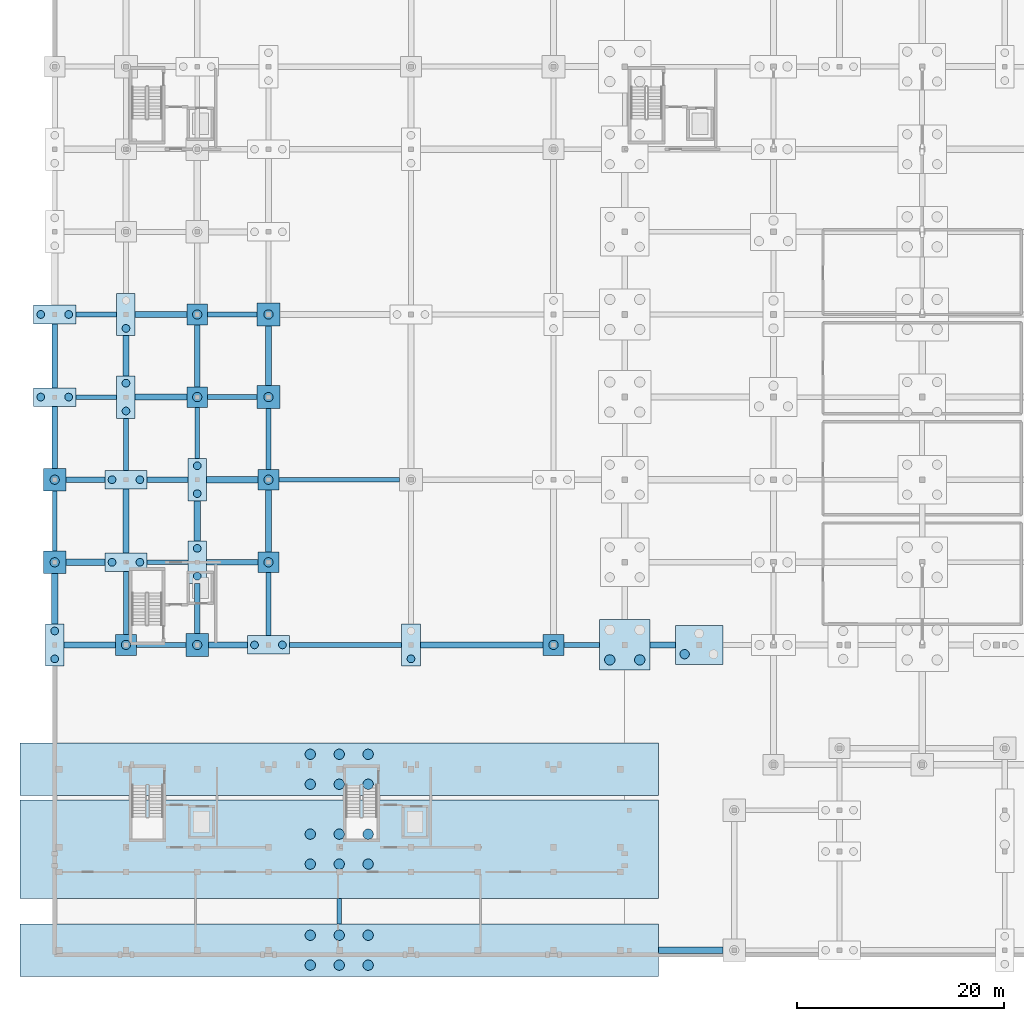
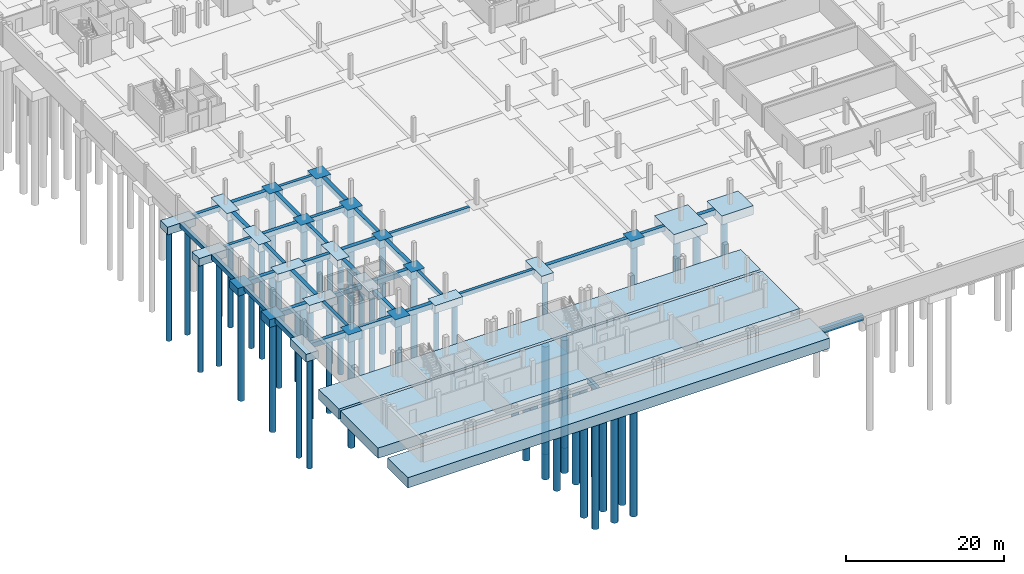
# One storey, part 1 of 38: 65 footings, 52 piles.
"""IFC4 building model written with IfcOpenShell, lengths in metres."""

from ifc_helpers import new_model, si_unit, direction, frame, origin, origin_2d, place, context, subcontext, project, spatial, rectangle, circle, extrude, material, material_profile, profile_set, type_object, element, save


model = new_model("IFC4")

# Units and contexts
model_context = context("Model", 3, precision=1e-05, world=origin(), true_north=direction((0.0, 1.0)))
body_context = subcontext(model_context, "Body", "Model", "MODEL_VIEW")
ifc_project = project(units=[si_unit("LENGTHUNIT", "METRE"), si_unit("AREAUNIT", "SQUARE_METRE"), si_unit("VOLUMEUNIT", "CUBIC_METRE"), si_unit("PLANEANGLEUNIT", "RADIAN"), si_unit("MASSUNIT", "GRAM", prefix="KILO")], contexts=[model_context])

# Site, building, storey
site_placement = place(None, origin())
site = spatial("IfcSite", under=ifc_project, at=site_placement, CompositionType="ELEMENT")
building_placement = place(site_placement, origin())
building = spatial("IfcBuilding", under=site, at=building_placement, Name="Zavelmont Quarter", CompositionType="ELEMENT")
storey_placement = place(building_placement, frame((0.0, 0.0, -3.800048828125)))
storey = spatial("IfcBuildingStorey", under=building, at=storey_placement, Name="B01", CompositionType="ELEMENT", Elevation=-3.800048828125)

# Footings
ifc_material = material(Name="Concrete C35/45", Category="concrete")
footing_type_1 = type_object("IfcFootingType", Name="GB01", PredefinedType="FOOTING_BEAM", material=ifc_material)
footing_1_placement = place(storey_placement, frame((10.300048828125, 30.0, -0.69970703125), z_axis=(0.0, 0.0, 1.0), x_axis=(1.0, 0.0, 0.0)))
element("IfcFooting", 1, at=footing_1_placement, inside=storey, type_object=footing_type_1, Name="B01 ground beam GB01 at 2/F", PredefinedType="FOOTING_BEAM", context=body_context, shape_type="SweptSolid", body=[
    extrude(rectangle(XDim=4.800048828125, YDim=0.5, at=origin_2d()), origin(), (0.0, 0.0, 1.0), 0.699951171875),
])
footing_2_placement = place(storey_placement, frame((51.02490234375, 30.0, -0.69970703125), z_axis=(0.0, 0.0, 1.0), x_axis=(1.0, 0.0, 0.0)))
element("IfcFooting", 2, at=footing_2_placement, inside=storey, type_object=footing_type_1, Name="B01 ground beam GB01 at 8/F", PredefinedType="FOOTING_BEAM", context=body_context, shape_type="SweptSolid", body=[
    extrude(rectangle(XDim=3.449951171875, YDim=0.5, at=origin_2d()), origin(), (0.0, 0.0, 1.0), 0.699951171875),
])
footing_3_placement = place(storey_placement, frame((10.925048828125, 46.0, -0.69970703125), z_axis=(0.0, 0.0, 1.0), x_axis=(1.0, 0.0, 0.0)))
element("IfcFooting", 3, at=footing_3_placement, inside=storey, type_object=footing_type_1, Name="B01 ground beam GB01 at 3/H", PredefinedType="FOOTING_BEAM", context=body_context, shape_type="SweptSolid", body=[
    extrude(rectangle(XDim=3.949951171875, YDim=0.5, at=origin_2d()), origin(), (0.0, 0.0, 1.0), 0.699951171875),
])
footing_4_placement = place(storey_placement, frame((17.199951171875, 54.0, -0.69970703125), z_axis=(0.0, 0.0, 1.0), x_axis=(1.0, 0.0, 0.0)))
element("IfcFooting", 4, at=footing_4_placement, inside=storey, type_object=footing_type_1, Name="B01 ground beam GB01 at 3/J", PredefinedType="FOOTING_BEAM", context=body_context, shape_type="SweptSolid", body=[
    extrude(rectangle(XDim=4.800048828125, YDim=0.5, at=origin_2d()), origin(), (0.0, 0.0, 1.0), 0.699951171875),
])
footing_5_placement = place(storey_placement, frame((4.02490234375, 62.0, -0.69970703125), z_axis=(0.0, 0.0, 1.0), x_axis=(1.0, 0.0, 0.0)))
element("IfcFooting", 5, at=footing_5_placement, inside=storey, type_object=footing_type_1, Name="B01 ground beam GB01 at 2/K", PredefinedType="FOOTING_BEAM", context=body_context, shape_type="SweptSolid", body=[
    extrude(rectangle(XDim=3.949951171875, YDim=0.5, at=origin_2d()), origin(), (0.0, 0.0, 1.0), 0.699951171875),
])
footing_6_placement = place(storey_placement, frame((0.0, 58.0, -0.69970703125), z_axis=(0.0, 0.0, 1.0), x_axis=(0.0, 1.0, 0.0)))
element("IfcFooting", 6, at=footing_6_placement, inside=storey, type_object=footing_type_1, Name="B01 ground beam GB01 at 1/J", PredefinedType="FOOTING_BEAM", context=body_context, shape_type="SweptSolid", body=[
    extrude(rectangle(XDim=6.199951171875, YDim=0.5, at=origin_2d()), origin(), (0.0, 0.0, 1.0), 0.699951171875),
])
footing_7_placement = place(storey_placement, frame((6.89990234375, 49.425048828125, -0.69970703125), z_axis=(0.0, 0.0, 1.0), x_axis=(0.0, 1.0, 0.0)))
element("IfcFooting", 7, at=footing_7_placement, inside=storey, type_object=footing_type_1, Name="B01 ground beam GB01 at 2/H", PredefinedType="FOOTING_BEAM", context=body_context, shape_type="SweptSolid", body=[
    extrude(rectangle(XDim=5.050048828125, YDim=0.5, at=origin_2d()), origin(), (0.0, 0.0, 1.0), 0.699951171875),
])
footing_8_placement = place(storey_placement, frame((13.800048828125, 33.52490234375, -0.69970703125), z_axis=(0.0, 0.0, 1.0), x_axis=(0.0, 1.0, 0.0)))
element("IfcFooting", 8, at=footing_8_placement, inside=storey, type_object=footing_type_1, Name="B01 ground beam GB01 at 3/F", PredefinedType="FOOTING_BEAM", context=body_context, shape_type="SweptSolid", body=[
    extrude(rectangle(XDim=4.85009765625, YDim=0.5, at=origin_2d()), origin(), (0.0, 0.0, 1.0), 0.699951171875),
])
footing_9_placement = place(storey_placement, frame((20.699951171875, 49.949951171875, -0.69970703125), z_axis=(0.0, 0.0, 1.0), x_axis=(0.0, 1.0, 0.0)))
element("IfcFooting", 9, at=footing_9_placement, inside=storey, type_object=footing_type_1, Name="B01 ground beam GB01 at 4/H", PredefinedType="FOOTING_BEAM", context=body_context, shape_type="SweptSolid", body=[
    extrude(rectangle(XDim=5.89990234375, YDim=0.5, at=origin_2d()), origin(), (0.0, 0.0, 1.0), 0.699951171875),
])
footing_type_2 = type_object("IfcFootingType", Name="GB02", PredefinedType="FOOTING_BEAM", material=ifc_material)
footing_10_placement = place(storey_placement, frame((61.580078125, 0.43994140625, -0.7998046875), z_axis=(0.0, 0.0, 1.0), x_axis=(1.0, 0.0, 0.0)))
element("IfcFooting", 10, at=footing_10_placement, inside=storey, type_object=footing_type_2, Name="B01 ground beam GB02 at 10/A", PredefinedType="FOOTING_BEAM", context=body_context, shape_type="SweptSolid", body=[
    extrude(rectangle(XDim=6.239990234375, YDim=0.60009765625, at=origin_2d()), origin(), (0.0, 0.0, 1.0), 0.800048828125),
])
footing_11_placement = place(storey_placement, frame((16.77490234375, 30.0, -0.7998046875), z_axis=(0.0, 0.0, 1.0), x_axis=(1.0, 0.0, 0.0)))
element("IfcFooting", 11, at=footing_11_placement, inside=storey, type_object=footing_type_2, Name="B01 ground beam GB02 at 3/F", PredefinedType="FOOTING_BEAM", context=body_context, shape_type="SweptSolid", body=[
    extrude(rectangle(XDim=3.75, YDim=0.60009765625, at=origin_2d()), origin(), (0.0, 0.0, 1.0), 0.800048828125),
])
footing_12_placement = place(storey_placement, frame((58.875, 30.0, -0.7998046875), z_axis=(0.0, 0.0, 1.0), x_axis=(1.0, 0.0, 0.0)))
element("IfcFooting", 12, at=footing_12_placement, inside=storey, type_object=footing_type_2, Name="B01 ground beam GB02 at 10/F", PredefinedType="FOOTING_BEAM", context=body_context, shape_type="SweptSolid", body=[
    extrude(rectangle(XDim=2.449951171875, YDim=0.60009765625, at=origin_2d()), origin(), (0.0, 0.0, 1.0), 0.800048828125),
])
footing_13_placement = place(storey_placement, frame((2.97509765625, 38.0, -0.7998046875), z_axis=(0.0, 0.0, 1.0), x_axis=(1.0, 0.0, 0.0)))
element("IfcFooting", 13, at=footing_13_placement, inside=storey, type_object=footing_type_2, Name="B01 ground beam GB02 at 1/G", PredefinedType="FOOTING_BEAM", context=body_context, shape_type="SweptSolid", body=[
    extrude(rectangle(XDim=3.75, YDim=0.60009765625, at=origin_2d()), origin(), (0.0, 0.0, 1.0), 0.800048828125),
])
for number, where, z_axis, x_axis, name in (
    (14, (17.199951171875, 46.0, -0.7998046875), (0.0, 0.0, 1.0), (1.0, 0.0, 0.0), "B01 ground beam GB02 at 3/H"),
    (15, (10.300048828125, 62.0, -0.7998046875), (0.0, 0.0, 1.0), (1.0, 0.0, 0.0), "B01 ground beam GB02 at 2/K"),
):
    element("IfcFooting", number, at=place(storey_placement, frame(where, z_axis=z_axis, x_axis=x_axis)), inside=storey, type_object=footing_type_2, Name=name, PredefinedType="FOOTING_BEAM", context=body_context, shape_type="SweptSolid", body=[
        extrude(rectangle(XDim=5.0, YDim=0.60009765625, at=origin_2d()), origin(), (0.0, 0.0, 1.0), 0.800048828125),
    ])
footing_14_placement = place(storey_placement, frame((0.0, 34.47509765625, -0.7998046875), z_axis=(0.0, 0.0, 1.0), x_axis=(0.0, 1.0, 0.0)))
element("IfcFooting", 16, at=footing_14_placement, inside=storey, type_object=footing_type_2, Name="B01 ground beam GB02 at 1/G", PredefinedType="FOOTING_BEAM", context=body_context, shape_type="SweptSolid", body=[
    extrude(rectangle(XDim=4.85009765625, YDim=0.60009765625, at=origin_2d()), origin(), (0.0, 0.0, 1.0), 0.800048828125),
])
for number, where, z_axis, x_axis, name in (
    (17, (6.89990234375, 58.0, -0.7998046875), (0.0, 0.0, 1.0), (0.0, 1.0, 0.0), "B01 ground beam GB02 at 2/J"),
    (18, (13.800048828125, 42.0, -0.7998046875), (0.0, 0.0, 1.0), (0.0, 1.0, 0.0), "B01 ground beam GB02 at 3/G"),
):
    element("IfcFooting", number, at=place(storey_placement, frame(where, z_axis=z_axis, x_axis=x_axis)), inside=storey, type_object=footing_type_2, Name=name, PredefinedType="FOOTING_BEAM", context=body_context, shape_type="SweptSolid", body=[
        extrude(rectangle(XDim=3.89990234375, YDim=0.60009765625, at=origin_2d()), origin(), (0.0, 0.0, 1.0), 0.800048828125),
    ])
footing_15_placement = place(storey_placement, frame((20.699951171875, 58.0, -0.7998046875), z_axis=(0.0, 0.0, 1.0), x_axis=(0.0, 1.0, 0.0)))
element("IfcFooting", 19, at=footing_15_placement, inside=storey, type_object=footing_type_2, Name="B01 ground beam GB02 at 4/J", PredefinedType="FOOTING_BEAM", context=body_context, shape_type="SweptSolid", body=[
    extrude(rectangle(XDim=5.800048828125, YDim=0.60009765625, at=origin_2d()), origin(), (0.0, 0.0, 1.0), 0.800048828125),
])
footing_type_3 = type_object("IfcFootingType", Name="GB03", PredefinedType="FOOTING_BEAM", material=ifc_material)
footing_16_placement = place(storey_placement, frame((28.175048828125, 30.0, -0.64990234375), z_axis=(0.0, 0.0, 1.0), x_axis=(1.0, 0.0, 0.0)))
element("IfcFooting", 20, at=footing_16_placement, inside=storey, type_object=footing_type_3, Name="B01 ground beam GB03 at 5/F", PredefinedType="FOOTING_BEAM", context=body_context, shape_type="SweptSolid", body=[
    extrude(rectangle(XDim=10.85009765625, YDim=0.449951171875, at=origin_2d()), origin(), (0.0, 0.0, 1.0), 0.64990234375),
])
footing_17_placement = place(storey_placement, frame((10.925048828125, 38.0, -0.64990234375), z_axis=(0.0, 0.0, 1.0), x_axis=(1.0, 0.0, 0.0)))
element("IfcFooting", 21, at=footing_17_placement, inside=storey, type_object=footing_type_3, Name="B01 ground beam GB03 at 3/G", PredefinedType="FOOTING_BEAM", context=body_context, shape_type="SweptSolid", body=[
    extrude(rectangle(XDim=3.949951171875, YDim=0.449951171875, at=origin_2d()), origin(), (0.0, 0.0, 1.0), 0.64990234375),
])
footing_18_placement = place(storey_placement, frame((27.550048828125, 46.0, -0.64990234375), z_axis=(0.0, 0.0, 1.0), x_axis=(1.0, 0.0, 0.0)))
element("IfcFooting", 22, at=footing_18_placement, inside=storey, type_object=footing_type_3, Name="B01 ground beam GB03 at 5/H", PredefinedType="FOOTING_BEAM", context=body_context, shape_type="SweptSolid", body=[
    extrude(rectangle(XDim=11.699951171875, YDim=0.449951171875, at=origin_2d()), origin(), (0.0, 0.0, 1.0), 0.64990234375),
])
footing_19_placement = place(storey_placement, frame((4.02490234375, 54.0, -0.64990234375), z_axis=(0.0, 0.0, 1.0), x_axis=(1.0, 0.0, 0.0)))
element("IfcFooting", 23, at=footing_19_placement, inside=storey, type_object=footing_type_3, Name="B01 ground beam GB03 at 2/J", PredefinedType="FOOTING_BEAM", context=body_context, shape_type="SweptSolid", body=[
    extrude(rectangle(XDim=3.949951171875, YDim=0.449951171875, at=origin_2d()), origin(), (0.0, 0.0, 1.0), 0.64990234375),
])
footing_20_placement = place(storey_placement, frame((17.199951171875, 62.0, -0.64990234375), z_axis=(0.0, 0.0, 1.0), x_axis=(1.0, 0.0, 0.0)))
element("IfcFooting", 24, at=footing_20_placement, inside=storey, type_object=footing_type_3, Name="B01 ground beam GB03 at 3/K", PredefinedType="FOOTING_BEAM", context=body_context, shape_type="SweptSolid", body=[
    extrude(rectangle(XDim=4.800048828125, YDim=0.449951171875, at=origin_2d()), origin(), (0.0, 0.0, 1.0), 0.64990234375),
])
footing_21_placement = place(storey_placement, frame((0.0, 42.0, -0.64990234375), z_axis=(0.0, 0.0, 1.0), x_axis=(0.0, 1.0, 0.0)))
element("IfcFooting", 25, at=footing_21_placement, inside=storey, type_object=footing_type_3, Name="B01 ground beam GB03 at 1/G", PredefinedType="FOOTING_BEAM", context=body_context, shape_type="SweptSolid", body=[
    extrude(rectangle(XDim=5.800048828125, YDim=0.449951171875, at=origin_2d()), origin(), (0.0, 0.0, 1.0), 0.64990234375),
])
footing_22_placement = place(storey_placement, frame((6.89990234375, 34.050048828125, -0.64990234375), z_axis=(0.0, 0.0, 1.0), x_axis=(0.0, 1.0, 0.0)))
element("IfcFooting", 26, at=footing_22_placement, inside=storey, type_object=footing_type_3, Name="B01 ground beam GB03 at 2/G", PredefinedType="FOOTING_BEAM", context=body_context, shape_type="SweptSolid", body=[
    extrude(rectangle(XDim=6.10009765625, YDim=0.449951171875, at=origin_2d()), origin(), (0.0, 0.0, 1.0), 0.64990234375),
])
footing_23_placement = place(storey_placement, frame((13.800048828125, 50.52490234375, -0.64990234375), z_axis=(0.0, 0.0, 1.0), x_axis=(0.0, 1.0, 0.0)))
element("IfcFooting", 27, at=footing_23_placement, inside=storey, type_object=footing_type_3, Name="B01 ground beam GB03 at 3/J", PredefinedType="FOOTING_BEAM", context=body_context, shape_type="SweptSolid", body=[
    extrude(rectangle(XDim=4.949951171875, YDim=0.449951171875, at=origin_2d()), origin(), (0.0, 0.0, 1.0), 0.64990234375),
])
footing_24_placement = place(storey_placement, frame((20.699951171875, 33.949951171875, -0.64990234375), z_axis=(0.0, 0.0, 1.0), x_axis=(0.0, 1.0, 0.0)))
element("IfcFooting", 28, at=footing_24_placement, inside=storey, type_object=footing_type_3, Name="B01 ground beam GB03 at 4/F", PredefinedType="FOOTING_BEAM", context=body_context, shape_type="SweptSolid", body=[
    extrude(rectangle(XDim=6.10009765625, YDim=0.449951171875, at=origin_2d()), origin(), (0.0, 0.0, 1.0), 0.64990234375),
])
footing_25_placement = place(storey_placement, frame((27.550048828125, 4.219970703125, -0.64990234375), z_axis=(0.0, 0.0, 1.0), x_axis=(0.0, 1.0, 0.0)))
element("IfcFooting", 29, at=footing_25_placement, inside=storey, type_object=footing_type_3, Name="B01 ground beam GB03 at 5/B", PredefinedType="FOOTING_BEAM", context=body_context, shape_type="SweptSolid", body=[
    extrude(rectangle(XDim=2.4599609375, YDim=0.449951171875, at=origin_2d()), origin(), (0.0, 0.0, 1.0), 0.64990234375),
])
footing_type_4 = type_object("IfcFootingType", Name="GB04", PredefinedType="FOOTING_BEAM", material=ifc_material)
footing_26_placement = place(storey_placement, frame((3.39990234375, 30.0, -0.75), z_axis=(0.0, 0.0, 1.0), x_axis=(1.0, 0.0, 0.0)))
element("IfcFooting", 30, at=footing_26_placement, inside=storey, type_object=footing_type_4, Name="B01 ground beam GB04 at 1/F", PredefinedType="FOOTING_BEAM", context=body_context, shape_type="SweptSolid", body=[
    extrude(rectangle(XDim=5.0, YDim=0.550048828125, at=origin_2d()), origin(), (0.0, 0.0, 1.0), 0.75),
])
footing_27_placement = place(storey_placement, frame((41.35009765625, 30.0, -0.75), z_axis=(0.0, 0.0, 1.0), x_axis=(1.0, 0.0, 0.0)))
element("IfcFooting", 31, at=footing_27_placement, inside=storey, type_object=footing_type_4, Name="B01 ground beam GB04 at 7/F", PredefinedType="FOOTING_BEAM", context=body_context, shape_type="SweptSolid", body=[
    extrude(rectangle(XDim=11.89990234375, YDim=0.550048828125, at=origin_2d()), origin(), (0.0, 0.0, 1.0), 0.75),
])
footing_28_placement = place(storey_placement, frame((17.199951171875, 38.0, -0.75), z_axis=(0.0, 0.0, 1.0), x_axis=(1.0, 0.0, 0.0)))
element("IfcFooting", 32, at=footing_28_placement, inside=storey, type_object=footing_type_4, Name="B01 ground beam GB04 at 3/G", PredefinedType="FOOTING_BEAM", context=body_context, shape_type="SweptSolid", body=[
    extrude(rectangle(XDim=5.0, YDim=0.550048828125, at=origin_2d()), origin(), (0.0, 0.0, 1.0), 0.75),
])
footing_29_placement = place(storey_placement, frame((2.97509765625, 46.0, -0.75), z_axis=(0.0, 0.0, 1.0), x_axis=(1.0, 0.0, 0.0)))
element("IfcFooting", 33, at=footing_29_placement, inside=storey, type_object=footing_type_4, Name="B01 ground beam GB04 at 1/H", PredefinedType="FOOTING_BEAM", context=body_context, shape_type="SweptSolid", body=[
    extrude(rectangle(XDim=3.75, YDim=0.550048828125, at=origin_2d()), origin(), (0.0, 0.0, 1.0), 0.75),
])
footing_30_placement = place(storey_placement, frame((10.300048828125, 54.0, -0.75), z_axis=(0.0, 0.0, 1.0), x_axis=(1.0, 0.0, 0.0)))
element("IfcFooting", 34, at=footing_30_placement, inside=storey, type_object=footing_type_4, Name="B01 ground beam GB04 at 2/J", PredefinedType="FOOTING_BEAM", context=body_context, shape_type="SweptSolid", body=[
    extrude(rectangle(XDim=5.0, YDim=0.550048828125, at=origin_2d()), origin(), (0.0, 0.0, 1.0), 0.75),
])
footing_31_placement = place(storey_placement, frame((0.0, 50.10009765625, -0.75), z_axis=(0.0, 0.0, 1.0), x_axis=(0.0, 1.0, 0.0)))
element("IfcFooting", 35, at=footing_31_placement, inside=storey, type_object=footing_type_4, Name="B01 ground beam GB04 at 1/J", PredefinedType="FOOTING_BEAM", context=body_context, shape_type="SweptSolid", body=[
    extrude(rectangle(XDim=6.0, YDim=0.550048828125, at=origin_2d()), origin(), (0.0, 0.0, 1.0), 0.75),
])
footing_32_placement = place(storey_placement, frame((6.89990234375, 42.0, -0.75), z_axis=(0.0, 0.0, 1.0), x_axis=(0.0, 1.0, 0.0)))
element("IfcFooting", 36, at=footing_32_placement, inside=storey, type_object=footing_type_4, Name="B01 ground beam GB04 at 2/G", PredefinedType="FOOTING_BEAM", context=body_context, shape_type="SweptSolid", body=[
    extrude(rectangle(XDim=6.199951171875, YDim=0.550048828125, at=origin_2d()), origin(), (0.0, 0.0, 1.0), 0.75),
])
for number, where, z_axis, x_axis, name in (
    (37, (13.800048828125, 58.0, -0.75), (0.0, 0.0, 1.0), (0.0, 1.0, 0.0), "B01 ground beam GB04 at 3/J"),
    (38, (20.699951171875, 42.0, -0.75), (0.0, 0.0, 1.0), (0.0, 1.0, 0.0), "B01 ground beam GB04 at 4/G"),
):
    element("IfcFooting", number, at=place(storey_placement, frame(where, z_axis=z_axis, x_axis=x_axis)), inside=storey, type_object=footing_type_4, Name=name, PredefinedType="FOOTING_BEAM", context=body_context, shape_type="SweptSolid", body=[
        extrude(rectangle(XDim=6.0, YDim=0.550048828125, at=origin_2d()), origin(), (0.0, 0.0, 1.0), 0.75),
    ])

# Piles
ifc_material_profile_1 = material_profile(ifc_material, circle(Radius=0.5, at=origin_2d()), Name="BP1000")
ifc_profile_set_1 = profile_set([ifc_material_profile_1], Name="Concrete C35/45")
pile_type_1 = type_object("IfcPileType", Name="P00", PredefinedType="BORED", material=ifc_profile_set_1)
for number, where, z_axis, x_axis, name in (
    (39, (24.75, -1.010009765625, -1.5), (0.0, 0.0, -1.0), (1.0, 0.0, 0.0), "B01 bored pile P00 under CAP-003.1"),
    (40, (27.550048828125, -1.010009765625, -1.5), (0.0, 0.0, -1.0), (1.0, 0.0, 0.0), "B01 bored pile P00 under CAP-003.2"),
    (41, (30.35009765625, -1.010009765625, -1.5), (0.0, 0.0, -1.0), (1.0, 0.0, 0.0), "B01 bored pile P00 under CAP-003.3"),
    (42, (24.75, 1.889892578125, -1.5), (0.0, 0.0, -1.0), (1.0, 0.0, 0.0), "B01 bored pile P00 under CAP-003.4"),
    (43, (27.550048828125, 1.889892578125, -1.5), (0.0, 0.0, -1.0), (1.0, 0.0, 0.0), "B01 bored pile P00 under CAP-003.5"),
    (44, (30.35009765625, 1.889892578125, -1.5), (0.0, 0.0, -1.0), (1.0, 0.0, 0.0), "B01 bored pile P00 under CAP-003.6"),
    (45, (24.75, 8.77490234375, -1.5), (0.0, 0.0, -1.0), (1.0, 0.0, 0.0), "B01 bored pile P00 under CAP-025.1"),
    (46, (27.550048828125, 8.77490234375, -1.5), (0.0, 0.0, -1.0), (1.0, 0.0, 0.0), "B01 bored pile P00 under CAP-025.2"),
    (47, (30.35009765625, 8.77490234375, -1.5), (0.0, 0.0, -1.0), (1.0, 0.0, 0.0), "B01 bored pile P00 under CAP-025.3"),
    (48, (24.75, 11.675048828125, -1.5), (0.0, 0.0, -1.0), (1.0, 0.0, 0.0), "B01 bored pile P00 under CAP-025.4"),
    (49, (27.550048828125, 11.675048828125, -1.5), (0.0, 0.0, -1.0), (1.0, 0.0, 0.0), "B01 bored pile P00 under CAP-025.5"),
    (50, (30.35009765625, 11.675048828125, -1.5), (0.0, 0.0, -1.0), (1.0, 0.0, 0.0), "B01 bored pile P00 under CAP-025.6"),
    (51, (24.75, 16.510009765625, -1.5), (0.0, 0.0, -1.0), (1.0, 0.0, 0.0), "B01 bored pile P00 under CAP-031.1"),
    (52, (27.550048828125, 16.510009765625, -1.5), (0.0, 0.0, -1.0), (1.0, 0.0, 0.0), "B01 bored pile P00 under CAP-031.2"),
    (53, (30.35009765625, 16.510009765625, -1.5), (0.0, 0.0, -1.0), (1.0, 0.0, 0.0), "B01 bored pile P00 under CAP-031.3"),
    (54, (24.75, 19.409912109375, -1.5), (0.0, 0.0, -1.0), (1.0, 0.0, 0.0), "B01 bored pile P00 under CAP-031.4"),
    (55, (27.550048828125, 19.409912109375, -1.5), (0.0, 0.0, -1.0), (1.0, 0.0, 0.0), "B01 bored pile P00 under CAP-031.5"),
    (56, (30.35009765625, 19.409912109375, -1.5), (0.0, 0.0, -1.0), (1.0, 0.0, 0.0), "B01 bored pile P00 under CAP-031.6"),
):
    element("IfcPile", number, at=place(storey_placement, frame(where, z_axis=z_axis, x_axis=x_axis)), inside=storey, type_object=pile_type_1, Name=name, PredefinedType="BORED", context=body_context, shape_type="SweptSolid", body=[
        extrude(circle(Radius=0.5, at=origin_2d()), origin(), (0.0, 0.0, 1.0), 16.699951171875),
    ])
ifc_material_profile_2 = material_profile(ifc_material, circle(Radius=0.5, at=origin_2d()), Name="BP1000")
ifc_profile_set_2 = profile_set([ifc_material_profile_2], Name="Concrete C35/45")
pile_type_2 = type_object("IfcPileType", Name="P01", PredefinedType="BORED", material=ifc_profile_set_2)
for number, where, z_axis, x_axis, name in (
    (57, (53.75, 28.550048828125, -1.39990234375), (0.0, 0.0, -1.0), (1.0, 0.0, 0.0), "B01 bored pile P01 under CAP-055.1"),
    (58, (56.64990234375, 28.550048828125, -1.39990234375), (0.0, 0.0, -1.0), (1.0, 0.0, 0.0), "B01 bored pile P01 under CAP-055.2"),
):
    element("IfcPile", number, at=place(storey_placement, frame(where, z_axis=z_axis, x_axis=x_axis)), inside=storey, type_object=pile_type_2, Name=name, PredefinedType="BORED", context=body_context, shape_type="SweptSolid", body=[
        extrude(circle(Radius=0.5, at=origin_2d()), origin(), (0.0, 0.0, 1.0), 16.800048828125),
    ])
ifc_material_profile_3 = material_profile(ifc_material, circle(Radius=0.449951171875, at=origin_2d()), Name="BP900")
ifc_profile_set_3 = profile_set([ifc_material_profile_3], Name="Concrete C35/45")
pile_type_3 = type_object("IfcPileType", Name="P02", PredefinedType="BORED", material=ifc_profile_set_3)
pile_placement = place(storey_placement, frame((61.0, 29.10009765625, -1.300048828125), z_axis=(0.0, 0.0, -1.0), x_axis=(1.0, 0.0, 0.0)))
element("IfcPile", 59, at=pile_placement, inside=storey, type_object=pile_type_3, Name="B01 bored pile P02 under CAP-056.1", PredefinedType="BORED", context=body_context, shape_type="SweptSolid", body=[
    extrude(circle(Radius=0.449951171875, at=origin_2d()), origin(), (0.0, 0.0, 1.0), 16.89990234375),
])
ifc_material_profile_4 = material_profile(ifc_material, circle(Radius=0.449951171875, at=origin_2d()), Name="BP900")
ifc_profile_set_4 = profile_set([ifc_material_profile_4], Name="Concrete C35/45")
pile_type_4 = type_object("IfcPileType", Name="P04", PredefinedType="BORED", material=ifc_profile_set_4)
for number, where, z_axis, x_axis, name in (
    (60, (6.89990234375, 30.0, -1.099853515625), (0.0, 0.0, -1.0), (1.0, 0.0, 0.0), "B01 bored pile P04 under CAP-050.1"),
    (61, (13.800048828125, 30.0, -1.099853515625), (0.0, 0.0, -1.0), (1.0, 0.0, 0.0), "B01 bored pile P04 under CAP-051.1"),
    (62, (48.300048828125, 30.0, -1.099853515625), (0.0, 0.0, -1.0), (1.0, 0.0, 0.0), "B01 bored pile P04 under CAP-054.1"),
    (63, (0.0, 38.0, -1.099853515625), (0.0, 0.0, -1.0), (1.0, 0.0, 0.0), "B01 bored pile P04 under CAP-066.1"),
    (64, (20.699951171875, 38.0, -1.099853515625), (0.0, 0.0, -1.0), (1.0, 0.0, 0.0), "B01 bored pile P04 under CAP-069.1"),
    (65, (0.0, 46.0, -1.099853515625), (0.0, 0.0, -1.0), (1.0, 0.0, 0.0), "B01 bored pile P04 under CAP-079.1"),
    (66, (20.699951171875, 46.0, -1.099853515625), (0.0, 0.0, -1.0), (1.0, 0.0, 0.0), "B01 bored pile P04 under CAP-082.1"),
    (67, (13.800048828125, 54.0, -1.099853515625), (0.0, 0.0, -1.0), (1.0, 0.0, 0.0), "B01 bored pile P04 under CAP-095.1"),
    (68, (20.699951171875, 54.0, -1.099853515625), (0.0, 0.0, -1.0), (1.0, 0.0, 0.0), "B01 bored pile P04 under CAP-096.1"),
    (69, (13.800048828125, 62.0, -1.099853515625), (0.0, 0.0, -1.0), (1.0, 0.0, 0.0), "B01 bored pile P04 under CAP-108.1"),
    (70, (20.699951171875, 62.0, -1.099853515625), (0.0, 0.0, -1.0), (1.0, 0.0, 0.0), "B01 bored pile P04 under CAP-109.1"),
):
    element("IfcPile", number, at=place(storey_placement, frame(where, z_axis=z_axis, x_axis=x_axis)), inside=storey, type_object=pile_type_4, Name=name, PredefinedType="BORED", context=body_context, shape_type="SweptSolid", body=[
        extrude(circle(Radius=0.449951171875, at=origin_2d()), origin(), (0.0, 0.0, 1.0), 17.10009765625),
    ])
ifc_material_profile_5 = material_profile(ifc_material, circle(Radius=0.375, at=origin_2d()), Name="BP750")
ifc_profile_set_5 = profile_set([ifc_material_profile_5], Name="Concrete C35/45")
pile_type_5 = type_object("IfcPileType", Name="P05", PredefinedType="BORED", material=ifc_profile_set_5)
for number, where, z_axis, x_axis, name in (
    (71, (0.0, 28.64990234375, -1.099853515625), (0.0, 0.0, -1.0), (1.0, 0.0, 0.0), "B01 bored pile P05 under CAP-049.1"),
    (72, (0.0, 31.35009765625, -1.099853515625), (0.0, 0.0, -1.0), (1.0, 0.0, 0.0), "B01 bored pile P05 under CAP-049.2"),
    (73, (19.35009765625, 30.0, -1.099853515625), (0.0, 0.0, -1.0), (1.0, 0.0, 0.0), "B01 bored pile P05 under CAP-052.1"),
    (74, (22.050048828125, 30.0, -1.099853515625), (0.0, 0.0, -1.0), (1.0, 0.0, 0.0), "B01 bored pile P05 under CAP-052.2"),
    (75, (34.5, 28.64990234375, -1.099853515625), (0.0, 0.0, -1.0), (1.0, 0.0, 0.0), "B01 bored pile P05 under CAP-053.1"),
    (76, (5.550048828125, 38.0, -1.099853515625), (0.0, 0.0, -1.0), (1.0, 0.0, 0.0), "B01 bored pile P05 under CAP-067.1"),
    (77, (8.25, 38.0, -1.099853515625), (0.0, 0.0, -1.0), (1.0, 0.0, 0.0), "B01 bored pile P05 under CAP-067.2"),
    (78, (13.800048828125, 36.64990234375, -1.099853515625), (0.0, 0.0, -1.0), (1.0, 0.0, 0.0), "B01 bored pile P05 under CAP-068.1"),
    (79, (13.800048828125, 39.35009765625, -1.099853515625), (0.0, 0.0, -1.0), (1.0, 0.0, 0.0), "B01 bored pile P05 under CAP-068.2"),
    (80, (5.550048828125, 46.0, -1.099853515625), (0.0, 0.0, -1.0), (1.0, 0.0, 0.0), "B01 bored pile P05 under CAP-080.1"),
    (81, (8.25, 46.0, -1.099853515625), (0.0, 0.0, -1.0), (1.0, 0.0, 0.0), "B01 bored pile P05 under CAP-080.2"),
    (82, (13.800048828125, 44.64990234375, -1.099853515625), (0.0, 0.0, -1.0), (1.0, 0.0, 0.0), "B01 bored pile P05 under CAP-081.1"),
    (83, (13.800048828125, 47.35009765625, -1.099853515625), (0.0, 0.0, -1.0), (1.0, 0.0, 0.0), "B01 bored pile P05 under CAP-081.2"),
    (84, (-1.35009765625, 54.0, -1.099853515625), (0.0, 0.0, -1.0), (1.0, 0.0, 0.0), "B01 bored pile P05 under CAP-093.1"),
    (85, (1.35009765625, 54.0, -1.099853515625), (0.0, 0.0, -1.0), (1.0, 0.0, 0.0), "B01 bored pile P05 under CAP-093.2"),
    (86, (6.89990234375, 52.64990234375, -1.099853515625), (0.0, 0.0, -1.0), (1.0, 0.0, 0.0), "B01 bored pile P05 under CAP-094.1"),
    (87, (6.89990234375, 55.35009765625, -1.099853515625), (0.0, 0.0, -1.0), (1.0, 0.0, 0.0), "B01 bored pile P05 under CAP-094.2"),
    (88, (-1.35009765625, 62.0, -1.099853515625), (0.0, 0.0, -1.0), (1.0, 0.0, 0.0), "B01 bored pile P05 under CAP-106.1"),
    (89, (1.35009765625, 62.0, -1.099853515625), (0.0, 0.0, -1.0), (1.0, 0.0, 0.0), "B01 bored pile P05 under CAP-106.2"),
    (90, (6.89990234375, 60.64990234375, -1.099853515625), (0.0, 0.0, -1.0), (1.0, 0.0, 0.0), "B01 bored pile P05 under CAP-107.1"),
):
    element("IfcPile", number, at=place(storey_placement, frame(where, z_axis=z_axis, x_axis=x_axis)), inside=storey, type_object=pile_type_5, Name=name, PredefinedType="BORED", context=body_context, shape_type="SweptSolid", body=[
        extrude(circle(Radius=0.375, at=origin_2d()), origin(), (0.0, 0.0, 1.0), 17.10009765625),
    ])

# Footings
footing_type_5 = type_object("IfcFootingType", Name="PC03", PredefinedType="PILE_CAP", material=ifc_material)
for number, where, z_axis, x_axis, name in (
    (91, (6.89990234375, 30.0, -1.19970703125), (0.0, 0.0, 1.0), (1.0, 0.0, 0.0), "B01 pile cap PC03 at 2/F"),
    (92, (48.300048828125, 30.0, -1.19970703125), (0.0, 0.0, 1.0), (1.0, 0.0, 0.0), "B01 pile cap PC03 at 8/F"),
    (93, (20.699951171875, 38.0, -1.19970703125), (0.0, 0.0, 1.0), (1.0, 0.0, 0.0), "B01 pile cap PC03 at 4/G"),
    (94, (20.699951171875, 46.0, -1.19970703125), (0.0, 0.0, 1.0), (1.0, 0.0, 0.0), "B01 pile cap PC03 at 4/H"),
    (95, (13.800048828125, 54.0, -1.19970703125), (0.0, 0.0, 1.0), (1.0, 0.0, 0.0), "B01 pile cap PC03 at 3/J"),
    (96, (13.800048828125, 62.0, -1.19970703125), (0.0, 0.0, 1.0), (1.0, 0.0, 0.0), "B01 pile cap PC03 at 3/K"),
):
    element("IfcFooting", number, at=place(storey_placement, frame(where, z_axis=z_axis, x_axis=x_axis)), inside=storey, type_object=footing_type_5, Name=name, PredefinedType="PILE_CAP", context=body_context, shape_type="SweptSolid", body=[
        extrude(rectangle(XDim=2.0, YDim=2.0, at=origin_2d()), origin(), (0.0, 0.0, 1.0), 1.199951171875),
    ])
footing_type_6 = type_object("IfcFootingType", Name="PC04", PredefinedType="PILE_CAP", material=ifc_material)
for number, where, z_axis, x_axis, name in (
    (97, (13.800048828125, 30.0, -1.19970703125), (0.0, 0.0, 1.0), (1.0, 0.0, 0.0), "B01 pile cap PC04 at 3/F"),
    (98, (0.0, 38.0, -1.19970703125), (0.0, 0.0, 1.0), (1.0, 0.0, 0.0), "B01 pile cap PC04 at 1/G"),
    (99, (0.0, 46.0, -1.19970703125), (0.0, 0.0, 1.0), (1.0, 0.0, 0.0), "B01 pile cap PC04 at 1/H"),
    (100, (20.699951171875, 54.0, -1.19970703125), (0.0, 0.0, 1.0), (1.0, 0.0, 0.0), "B01 pile cap PC04 at 4/J"),
    (101, (20.699951171875, 62.0, -1.19970703125), (0.0, 0.0, 1.0), (1.0, 0.0, 0.0), "B01 pile cap PC04 at 4/K"),
):
    element("IfcFooting", number, at=place(storey_placement, frame(where, z_axis=z_axis, x_axis=x_axis)), inside=storey, type_object=footing_type_6, Name=name, PredefinedType="PILE_CAP", context=body_context, shape_type="SweptSolid", body=[
        extrude(rectangle(XDim=2.199951171875, YDim=2.199951171875, at=origin_2d()), origin(), (0.0, 0.0, 1.0), 1.199951171875),
    ])
footing_type_7 = type_object("IfcFootingType", Name="PC05", PredefinedType="PILE_CAP", material=ifc_material)
for number, where, z_axis, x_axis, name in (
    (102, (20.699951171875, 30.0, -1.19970703125), (0.0, 0.0, 1.0), (1.0, 0.0, 0.0), "B01 pile cap PC05 at 4/F"),
    (103, (6.89990234375, 38.0, -1.19970703125), (0.0, 0.0, 1.0), (1.0, 0.0, 0.0), "B01 pile cap PC05 at 2/G"),
    (104, (6.89990234375, 46.0, -1.19970703125), (0.0, 0.0, 1.0), (1.0, 0.0, 0.0), "B01 pile cap PC05 at 2/H"),
    (105, (0.0, 54.0, -1.19970703125), (0.0, 0.0, 1.0), (1.0, 0.0, 0.0), "B01 pile cap PC05 at 1/J"),
    (106, (0.0, 62.0, -1.19970703125), (0.0, 0.0, 1.0), (1.0, 0.0, 0.0), "B01 pile cap PC05 at 1/K"),
):
    element("IfcFooting", number, at=place(storey_placement, frame(where, z_axis=z_axis, x_axis=x_axis)), inside=storey, type_object=footing_type_7, Name=name, PredefinedType="PILE_CAP", context=body_context, shape_type="SweptSolid", body=[
        extrude(rectangle(XDim=4.10009765625, YDim=1.800048828125, at=origin_2d()), origin(), (0.0, 0.0, 1.0), 1.199951171875),
    ])
footing_type_8 = type_object("IfcFootingType", Name="PC06", PredefinedType="PILE_CAP", material=ifc_material)
for number, where, z_axis, x_axis, name in (
    (107, (0.0, 30.0, -1.19970703125), (0.0, 0.0, 1.0), (1.0, 0.0, 0.0), "B01 pile cap PC06 at 1/F"),
    (108, (34.5, 30.0, -1.19970703125), (0.0, 0.0, 1.0), (1.0, 0.0, 0.0), "B01 pile cap PC06 at 6/F"),
    (109, (13.800048828125, 38.0, -1.19970703125), (0.0, 0.0, 1.0), (1.0, 0.0, 0.0), "B01 pile cap PC06 at 3/G"),
    (110, (13.800048828125, 46.0, -1.19970703125), (0.0, 0.0, 1.0), (1.0, 0.0, 0.0), "B01 pile cap PC06 at 3/H"),
    (111, (6.89990234375, 54.0, -1.19970703125), (0.0, 0.0, 1.0), (1.0, 0.0, 0.0), "B01 pile cap PC06 at 2/J"),
    (112, (6.89990234375, 62.0, -1.19970703125), (0.0, 0.0, 1.0), (1.0, 0.0, 0.0), "B01 pile cap PC06 at 2/K"),
):
    element("IfcFooting", number, at=place(storey_placement, frame(where, z_axis=z_axis, x_axis=x_axis)), inside=storey, type_object=footing_type_8, Name=name, PredefinedType="PILE_CAP", context=body_context, shape_type="SweptSolid", body=[
        extrude(rectangle(XDim=1.800048828125, YDim=4.10009765625, at=origin_2d()), origin(), (0.0, 0.0, 1.0), 1.199951171875),
    ])
footing_type_9 = type_object("IfcFootingType", Name="PC11", PredefinedType="PILE_CAP", material=ifc_material)
footing_33_placement = place(storey_placement, frame((62.39990234375, 30.0, -1.39990234375), z_axis=(0.0, 0.0, 1.0), x_axis=(1.0, 0.0, 0.0)))
element("IfcFooting", 113, at=footing_33_placement, inside=storey, type_object=footing_type_9, Name="B01 pile cap PC11 at 10/F", PredefinedType="PILE_CAP", context=body_context, shape_type="SweptSolid", body=[
    extrude(rectangle(XDim=4.60009765625, YDim=3.800048828125, at=origin_2d()), origin(), (0.0, 0.0, 1.0), 1.39990234375),
])
footing_type_10 = type_object("IfcFootingType", Name="PC14", PredefinedType="PILE_CAP", material=ifc_material)
footing_34_placement = place(storey_placement, frame((55.199951171875, 30.0, -1.5), z_axis=(0.0, 0.0, 1.0), x_axis=(1.0, 0.0, 0.0)))
element("IfcFooting", 114, at=footing_34_placement, inside=storey, type_object=footing_type_10, Name="B01 pile cap PC14 at 9/F", PredefinedType="PILE_CAP", context=body_context, shape_type="SweptSolid", body=[
    extrude(rectangle(XDim=4.89990234375, YDim=4.89990234375, at=origin_2d()), origin(), (0.0, 0.0, 1.0), 1.5),
])
footing_type_11 = type_object("IfcFootingType", Name="PCC6182X510", PredefinedType="PILE_CAP", material=ifc_material)
for number, where, z_axis, x_axis, name in (
    (115, (27.550048828125, 0.43994140625, -1.60009765625), (0.0, 0.0, 1.0), (1.0, 0.0, 0.0), "B01 pile cap PCC6182X510 at 5/A"),
    (116, (27.550048828125, 17.9599609375, -1.60009765625), (0.0, 0.0, 1.0), (1.0, 0.0, 0.0), "B01 pile cap PCC6182X510 at 5/D"),
):
    element("IfcFooting", number, at=place(storey_placement, frame(where, z_axis=z_axis, x_axis=x_axis)), inside=storey, type_object=footing_type_11, Name=name, PredefinedType="PILE_CAP", context=body_context, shape_type="SweptSolid", body=[
        extrude(rectangle(XDim=61.820068359375, YDim=5.10009765625, at=origin_2d()), origin(), (0.0, 0.0, 1.0), 1.60009765625),
    ])
footing_type_12 = type_object("IfcFootingType", Name="PCC6182X955", PredefinedType="PILE_CAP", material=ifc_material)
footing_35_placement = place(storey_placement, frame((27.550048828125, 10.22509765625, -1.60009765625), z_axis=(0.0, 0.0, 1.0), x_axis=(1.0, 0.0, 0.0)))
element("IfcFooting", 117, at=footing_35_placement, inside=storey, type_object=footing_type_12, Name="B01 pile cap PCC6182X955 at 5/C", PredefinedType="PILE_CAP", context=body_context, shape_type="SweptSolid", body=[
    extrude(rectangle(XDim=61.820068359375, YDim=9.550048828125, at=origin_2d()), origin(), (0.0, 0.0, 1.0), 1.60009765625),
])

save(model, "model.ifc")
